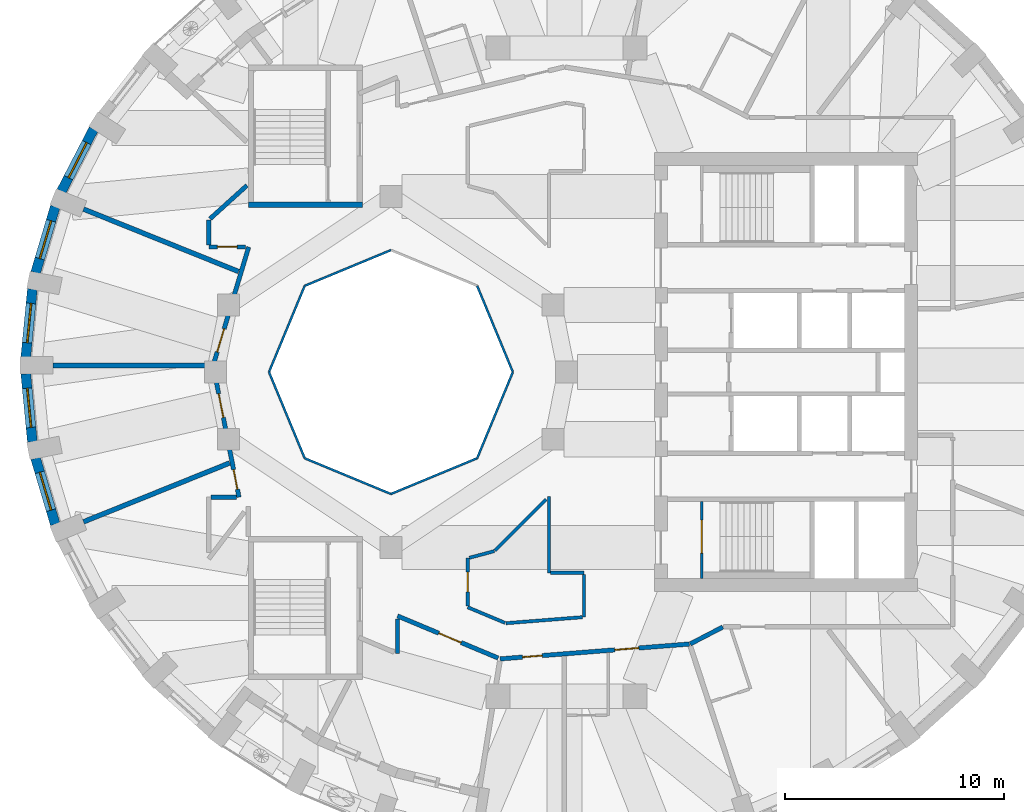
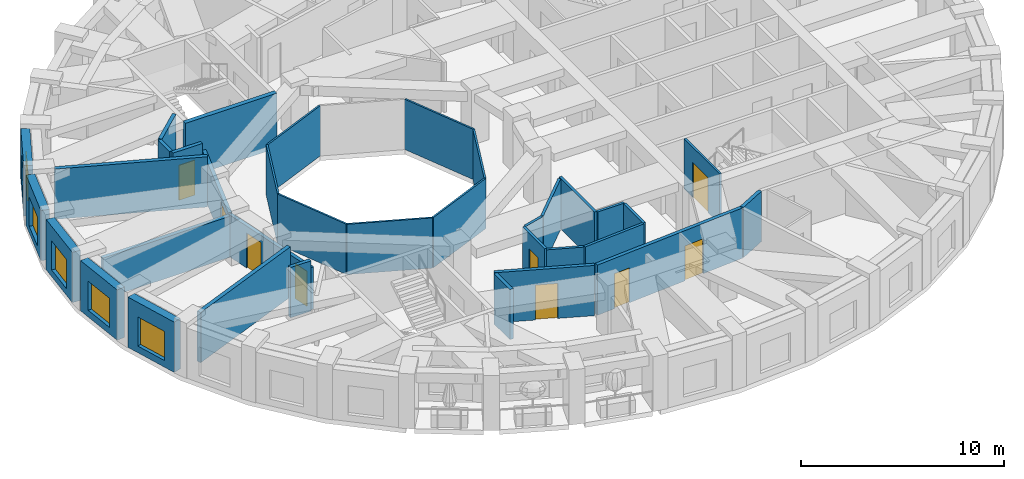
# One storey, part 4 of 12: 35 walls, 9 doors, 5 windows, 14 openings.
"""IFC4 building model written with IfcOpenShell, lengths in metres."""

from ifc_helpers import new_model, si_unit, direction, frame, frame_2d, origin, place, context, subcontext, project, spatial, rectangle, extrude, material, layer, layer_set, type_object, element, fill, save


model = new_model("IFC4")

# Units and contexts
model_context = context("Model", 3, precision=1e-05, world=origin(), true_north=direction((0.0, 1.0)))
body_context = subcontext(model_context, "Body", "Model", "MODEL_VIEW")
ifc_project = project(units=[si_unit("LENGTHUNIT", "METRE"), si_unit("AREAUNIT", "SQUARE_METRE"), si_unit("VOLUMEUNIT", "CUBIC_METRE"), si_unit("PLANEANGLEUNIT", "RADIAN"), si_unit("MASSUNIT", "GRAM", prefix="KILO")], contexts=[model_context])

# Site, building, storey
site_placement = place(None, origin())
site = spatial("IfcSite", under=ifc_project, at=site_placement, CompositionType="ELEMENT")
building_placement = place(site_placement, origin())
building = spatial("IfcBuilding", under=site, at=building_placement, Name="Taillehof Tower", CompositionType="ELEMENT")
storey_placement = place(building_placement, frame((0.0, 0.0, 253.10009765625)))
storey = spatial("IfcBuildingStorey", under=building, at=storey_placement, Name="L72", CompositionType="ELEMENT", Elevation=253.10009765625)

# Walls
ifc_material_1 = material(Name="Fire-resisting glass in steel frame", Category="steel")
ifc_layer_1 = layer(ifc_material_1, 0.10009765625)
ifc_layer_set_1 = layer_set([ifc_layer_1], Name="Atrium fire-resisting screen EI 60 100")
wall_type_1 = type_object("IfcWallType", Name="Atrium fire-resisting screen EI 60 100", PredefinedType="PARTITIONING", material=ifc_layer_set_1)
for number, where, z_axis, x_axis, name in (
    (1, (-2.44580078125, 0.0, 0.0), (0.0, 0.0, 1.0), (-0.382730523909, -0.923860025149, 0.0), "Atrium screen"),
    (2, (-4.07275390625, -3.92724609375, 0.0), (0.0, 0.0, 1.0), (-0.923860025149, -0.382730523909, 0.0), "Atrium screen"),
    (3, (-8.0, -5.55419921875, 0.0), (0.0, 0.0, 1.0), (-0.923860025149, 0.382730523909, 0.0), "Atrium screen"),
    (4, (-11.92724609375, -3.92724609375, 0.0), (0.0, 0.0, 1.0), (-0.382730523909, 0.923860025149, 0.0), "Atrium screen"),
    (5, (-13.55419921875, 0.0, 0.0), (0.0, 0.0, 1.0), (0.382730523909, 0.923860025149, 0.0), "Atrium screen"),
    (6, (-11.92724609375, 3.92724609375, 0.0), (0.0, 0.0, 1.0), (0.923860025149, 0.382730523909, 0.0), "Atrium screen"),
    (7, (-4.07275390625, 3.92724609375, 0.0), (0.0, 0.0, 1.0), (0.382730523909, -0.923860025149, 0.0), "Atrium screen"),
):
    element("IfcWall", number, at=place(storey_placement, frame(where, z_axis=z_axis, x_axis=x_axis)), inside=storey, type_object=wall_type_1, Name=name, PredefinedType="PARTITIONING", context=body_context, shape_type="SweptSolid", body=[
        extrude(rectangle(XDim=4.2509765625, YDim=0.10009765625, at=frame_2d((2.12548828125, 0.0))), origin(), (0.0, 0.0, 1.0), 3.02001953125),
    ])

# Wall, opening, window
ifc_material_2 = material(Name="Brick masonry", Category="masonry")
ifc_layer_2 = layer(ifc_material_2, 0.449951171875)
ifc_layer_set_2 = layer_set([ifc_layer_2], Name="Brick infill wall 450")
wall_type_2 = type_object("IfcWallType", Name="Brick infill wall 450", PredefinedType="SOLIDWALL", material=ifc_layer_set_2)
wall_1_placement = place(storey_placement, frame((-21.544921875, 11.068359375, 0.0), z_axis=(0.0, 0.0, 1.0), x_axis=(-0.459889857669, -0.887975967475, 0.0)))
wall_1 = element("IfcWall", 8, at=wall_1_placement, inside=storey, type_object=wall_type_2, Name="Brick wall L72 bay 16", PredefinedType="SOLIDWALL", context=body_context, shape_type="SweptSolid", body=[
    extrude(rectangle(XDim=3.185791015625, YDim=0.449951171875, at=frame_2d((1.5927734375, 0.0))), origin(), (0.0, 0.0, 1.0), 3.02001953125),
])
opening_1_placement = place(wall_1_placement, frame((0.69287109375, 0.0, 0.39990234375)))
opening_1 = element("IfcOpeningElement", 9, at=opening_1_placement, cuts=wall_1, Name="Opening W4", PredefinedType="OPENING", context=body_context, shape_type="SweptSolid", body=[
    extrude(rectangle(XDim=1.800048828125, YDim=1.75, at=frame_2d((0.89990234375, 0.875))), frame((0.0, 0.23486328125, 0.0), z_axis=(0.0, -1.0, 0.0), x_axis=(1.0, 0.0, 0.0)), (0.0, 0.0, 1.0), 0.469970703125),
])
ifc_material_3 = material(Name="Aluminium window frame with clear double glazing", Category="aluminium")
window_type = type_object("IfcWindowType", Name="Deep-set window 1800x1750", PartitioningType="SINGLE_PANEL", PredefinedType="WINDOW", material=ifc_material_3)
window_1_placement = place(opening_1_placement, origin())
window_1 = element("IfcWindow", 10, at=window_1_placement, inside=storey, type_object=window_type, Name="W4", OverallHeight=1.75, OverallWidth=1.800048828125, PartitioningType="SINGLE_PANEL", PredefinedType="WINDOW", context=body_context, shape_type="SweptSolid", body=[
    extrude(rectangle(XDim=1.800048828125, YDim=1.75, at=frame_2d((0.89990234375, 0.875))), frame((0.0, 0.034912109375, 0.0), z_axis=(0.0, -1.0, 0.0), x_axis=(1.0, 0.0, 0.0)), (0.0, 0.0, 1.0), 0.06005859375),
])
fill(opening_1, window_1)

wall_2_placement = place(storey_placement, frame((-23.29443359375, 7.53466796875, 0.0), z_axis=(0.0, 0.0, 1.0), x_axis=(-0.285263800865, -0.958449040855, 0.0)))
wall_2 = element("IfcWall", 11, at=wall_2_placement, inside=storey, type_object=wall_type_2, Name="Brick wall L72 bay 17", PredefinedType="SOLIDWALL", context=body_context, shape_type="SweptSolid", body=[
    extrude(rectangle(XDim=3.13916015625, YDim=0.449951171875, at=frame_2d((1.569580078125, 0.0))), origin(), (0.0, 0.0, 1.0), 3.02001953125),
])
opening_2_placement = place(wall_2_placement, frame((0.669677734375, 0.0, 0.39990234375)))
opening_2 = element("IfcOpeningElement", 12, at=opening_2_placement, cuts=wall_2, Name="Opening W4", PredefinedType="OPENING", context=body_context, shape_type="SweptSolid", body=[
    extrude(rectangle(XDim=1.800048828125, YDim=1.75, at=frame_2d((0.89990234375, 0.875))), frame((0.0, 0.23486328125, 0.0), z_axis=(0.0, -1.0, 0.0), x_axis=(1.0, 0.0, 0.0)), (0.0, 0.0, 1.0), 0.469970703125),
])
window_2_placement = place(opening_2_placement, origin())
window_2 = element("IfcWindow", 13, at=window_2_placement, inside=storey, type_object=window_type, Name="W4", OverallHeight=1.75, OverallWidth=1.800048828125, PartitioningType="SINGLE_PANEL", PredefinedType="WINDOW", context=body_context, shape_type="SweptSolid", body=[
    extrude(rectangle(XDim=1.800048828125, YDim=1.75, at=frame_2d((0.89990234375, 0.875))), frame((0.0, 0.034912109375, 0.0), z_axis=(0.0, -1.0, 0.0), x_axis=(1.0, 0.0, 0.0)), (0.0, 0.0, 1.0), 0.06005859375),
])
fill(opening_2, window_2)

wall_3_placement = place(storey_placement, frame((-24.335693359375, 3.77978515625, 0.0), z_axis=(0.0, 0.0, 1.0), x_axis=(-0.096740086873, -0.995309678237, 0.0)))
wall_3 = element("IfcWall", 14, at=wall_3_placement, inside=storey, type_object=wall_type_2, Name="Brick wall L72 bay 18", PredefinedType="SOLIDWALL", context=body_context, shape_type="SweptSolid", body=[
    extrude(rectangle(XDim=3.1142578125, YDim=0.449951171875, at=frame_2d((1.55712890625, 0.0))), origin(), (0.0, 0.0, 1.0), 3.02001953125),
])
opening_3_placement = place(wall_3_placement, frame((0.6572265625, 0.0, 0.39990234375)))
opening_3 = element("IfcOpeningElement", 15, at=opening_3_placement, cuts=wall_3, Name="Opening W4", PredefinedType="OPENING", context=body_context, shape_type="SweptSolid", body=[
    extrude(rectangle(XDim=1.800048828125, YDim=1.75, at=frame_2d((0.89990234375, 0.875))), frame((0.0, 0.23486328125, 0.0), z_axis=(0.0, -1.0, 0.0), x_axis=(1.0, 0.0, 0.0)), (0.0, 0.0, 1.0), 0.469970703125),
])
window_3_placement = place(opening_3_placement, origin())
window_3 = element("IfcWindow", 16, at=window_3_placement, inside=storey, type_object=window_type, Name="W4", OverallHeight=1.75, OverallWidth=1.800048828125, PartitioningType="SINGLE_PANEL", PredefinedType="WINDOW", context=body_context, shape_type="SweptSolid", body=[
    extrude(rectangle(XDim=1.800048828125, YDim=1.75, at=frame_2d((0.89990234375, 0.875))), frame((0.0, 0.034912109375, 0.0), z_axis=(0.0, -1.0, 0.0), x_axis=(1.0, 0.0, 0.0)), (0.0, 0.0, 1.0), 0.06005859375),
])
fill(opening_3, window_3)

wall_4_placement = place(storey_placement, frame((-24.636962890625, -0.080078125, 0.0), z_axis=(0.0, 0.0, 1.0), x_axis=(0.09673253904, -0.995310411827, 0.0)))
wall_4 = element("IfcWall", 17, at=wall_4_placement, inside=storey, type_object=wall_type_2, Name="Brick wall L72 bay 19", PredefinedType="SOLIDWALL", context=body_context, shape_type="SweptSolid", body=[
    extrude(rectangle(XDim=3.114501953125, YDim=0.449951171875, at=frame_2d((1.55712890625, 0.0))), origin(), (0.0, 0.0, 1.0), 3.02001953125),
])
opening_4_placement = place(wall_4_placement, frame((0.6572265625, 0.0, 0.39990234375)))
opening_4 = element("IfcOpeningElement", 18, at=opening_4_placement, cuts=wall_4, Name="Opening W4", PredefinedType="OPENING", context=body_context, shape_type="SweptSolid", body=[
    extrude(rectangle(XDim=1.800048828125, YDim=1.75, at=frame_2d((0.89990234375, 0.875))), frame((0.0, 0.23486328125, 0.0), z_axis=(0.0, -1.0, 0.0), x_axis=(1.0, 0.0, 0.0)), (0.0, 0.0, 1.0), 0.469970703125),
])
window_4_placement = place(opening_4_placement, origin())
window_4 = element("IfcWindow", 19, at=window_4_placement, inside=storey, type_object=window_type, Name="W4", OverallHeight=1.75, OverallWidth=1.800048828125, PartitioningType="SINGLE_PANEL", PredefinedType="WINDOW", context=body_context, shape_type="SweptSolid", body=[
    extrude(rectangle(XDim=1.800048828125, YDim=1.75, at=frame_2d((0.89990234375, 0.875))), frame((0.0, 0.034912109375, 0.0), z_axis=(0.0, -1.0, 0.0), x_axis=(1.0, 0.0, 0.0)), (0.0, 0.0, 1.0), 0.06005859375),
])
fill(opening_4, window_4)

wall_5_placement = place(storey_placement, frame((-24.18994140625, -3.92578125, 0.0), z_axis=(0.0, 0.0, 1.0), x_axis=(0.285263800865, -0.958449040855, 0.0)))
wall_5 = element("IfcWall", 20, at=wall_5_placement, inside=storey, type_object=wall_type_2, Name="Brick wall L72 bay 20", PredefinedType="SOLIDWALL", context=body_context, shape_type="SweptSolid", body=[
    extrude(rectangle(XDim=3.13916015625, YDim=0.449951171875, at=frame_2d((1.569580078125, 0.0))), origin(), (0.0, 0.0, 1.0), 3.02001953125),
])
opening_5_placement = place(wall_5_placement, frame((0.669677734375, 0.0, 0.39990234375)))
opening_5 = element("IfcOpeningElement", 21, at=opening_5_placement, cuts=wall_5, Name="Opening W4", PredefinedType="OPENING", context=body_context, shape_type="SweptSolid", body=[
    extrude(rectangle(XDim=1.800048828125, YDim=1.75, at=frame_2d((0.89990234375, 0.875))), frame((0.0, 0.23486328125, 0.0), z_axis=(0.0, -1.0, 0.0), x_axis=(1.0, 0.0, 0.0)), (0.0, 0.0, 1.0), 0.469970703125),
])
window_5_placement = place(opening_5_placement, origin())
window_5 = element("IfcWindow", 22, at=window_5_placement, inside=storey, type_object=window_type, Name="W4", OverallHeight=1.75, OverallWidth=1.800048828125, PartitioningType="SINGLE_PANEL", PredefinedType="WINDOW", context=body_context, shape_type="SweptSolid", body=[
    extrude(rectangle(XDim=1.800048828125, YDim=1.75, at=frame_2d((0.89990234375, 0.875))), frame((0.0, 0.034912109375, 0.0), z_axis=(0.0, -1.0, 0.0), x_axis=(1.0, 0.0, 0.0)), (0.0, 0.0, 1.0), 0.06005859375),
])
fill(opening_5, window_5)

# Wall, openings, doors
ifc_material_4 = material(Name="Gypsum board on steel studs, two layers each side", Category="steel")
ifc_layer_3 = layer(ifc_material_4, 0.199951171875)
ifc_layer_set_3 = layer_set([ifc_layer_3], Name="Compartment wall corridor 200")
wall_type_3 = type_object("IfcWallType", Name="Compartment wall corridor 200", PredefinedType="PARTITIONING", material=ifc_layer_set_3)
wall_6_placement = place(storey_placement, frame((-14.9228515625, -5.699951171875, 0.0), z_axis=(0.0, 0.0, 1.0), x_axis=(-0.192536596074, 0.981289793676, 0.0)))
wall_6 = element("IfcWall", 23, at=wall_6_placement, inside=storey, type_object=wall_type_3, Name="Compartment wall", PredefinedType="PARTITIONING", context=body_context, shape_type="SweptSolid", body=[
    extrude(rectangle(XDim=6.114501953125, YDim=0.199951171875, at=frame_2d((3.05712890625, 0.0))), origin(), (0.0, 0.0, 1.0), 2.52001953125),
])
opening_6_placement = place(wall_6_placement, frame((3.69873046875, 0.0, 0.0)))
opening_6 = element("IfcOpeningElement", 24, at=opening_6_placement, cuts=wall_6, Name="Opening D7248", PredefinedType="OPENING", context=body_context, shape_type="SweptSolid", body=[
    extrude(rectangle(XDim=1.10009765625, YDim=2.10009765625, at=frame_2d((0.550048828125, 1.050048828125))), frame((0.0, 0.10986328125, 0.0), z_axis=(0.0, -1.0, 0.0), x_axis=(1.0, 0.0, 0.0)), (0.0, 0.0, 1.0), 0.219970703125),
])
opening_7_placement = place(wall_6_placement, frame((0.37158203125, 0.0, 0.0)))
opening_7 = element("IfcOpeningElement", 25, at=opening_7_placement, cuts=wall_6, Name="Opening D7249", PredefinedType="OPENING", context=body_context, shape_type="SweptSolid", body=[
    extrude(rectangle(XDim=0.89990234375, YDim=2.10009765625, at=frame_2d((0.449951171875, 1.050048828125))), frame((0.0, 0.10986328125, 0.0), z_axis=(0.0, -1.0, 0.0), x_axis=(1.0, 0.0, 0.0)), (0.0, 0.0, 1.0), 0.219970703125),
])
ifc_material_5 = material(Name="Timber door leaf in steel frame", Category="steel")
door_type_1 = type_object("IfcDoorType", Name="Service room door EI 30 900 x 2100", OperationType="SINGLE_SWING_LEFT", PredefinedType="DOOR", material=ifc_material_5)
door_1_placement = place(opening_7_placement, origin())
door_1 = element("IfcDoor", 26, at=door_1_placement, inside=storey, type_object=door_type_1, Name="D7249", OperationType="SINGLE_SWING_RIGHT", OverallHeight=2.10009765625, OverallWidth=0.89990234375, PredefinedType="DOOR", context=body_context, shape_type="SweptSolid", body=[
    extrude(rectangle(XDim=0.89990234375, YDim=2.10009765625, at=frame_2d((0.449951171875, 1.050048828125))), frame((0.0, 0.02490234375, 0.0), z_axis=(0.0, -1.0, 0.0), x_axis=(1.0, 0.0, 0.0)), (0.0, 0.0, 1.0), 0.050048828125),
])
fill(opening_7, door_1)
ifc_material_6 = material(Name="Timber door leaf in steel frame", Category="steel")
door_type_2 = type_object("IfcDoorType", Name="Suite entrance door EI 30 1100 x 2100", OperationType="SINGLE_SWING_LEFT", PredefinedType="DOOR", material=ifc_material_6)
door_2_placement = place(opening_6_placement, origin())
door_2 = element("IfcDoor", 27, at=door_2_placement, inside=storey, type_object=door_type_2, Name="D7248", OperationType="SINGLE_SWING_RIGHT", OverallHeight=2.10009765625, OverallWidth=1.10009765625, PredefinedType="DOOR", context=body_context, shape_type="SweptSolid", body=[
    extrude(rectangle(XDim=1.10009765625, YDim=2.10009765625, at=frame_2d((0.550048828125, 1.050048828125))), frame((0.0, 0.02490234375, 0.0), z_axis=(0.0, -1.0, 0.0), x_axis=(1.0, 0.0, 0.0)), (0.0, 0.0, 1.0), 0.050048828125),
])
fill(opening_6, door_2)

# Wall, opening, door
wall_7_placement = place(storey_placement, frame((-16.07080078125, 0.395263671875, 0.0), z_axis=(0.0, 0.0, 1.0), x_axis=(0.287129472402, 0.957891782029, 0.0)))
wall_7 = element("IfcWall", 28, at=wall_7_placement, inside=storey, type_object=wall_type_3, Name="Compartment wall", PredefinedType="PARTITIONING", context=body_context, shape_type="SweptSolid", body=[
    extrude(rectangle(XDim=5.537841796875, YDim=0.199951171875, at=frame_2d((2.76904296875, 0.0))), origin(), (0.0, 0.0, 1.0), 2.52001953125),
])
opening_8_placement = place(wall_7_placement, frame((0.542724609375, 0.0, 0.0)))
opening_8 = element("IfcOpeningElement", 29, at=opening_8_placement, cuts=wall_7, Name="Opening D7247", PredefinedType="OPENING", context=body_context, shape_type="SweptSolid", body=[
    extrude(rectangle(XDim=1.10009765625, YDim=2.10009765625, at=frame_2d((0.550048828125, 1.050048828125))), frame((0.0, 0.10986328125, 0.0), z_axis=(0.0, -1.0, 0.0), x_axis=(1.0, 0.0, 0.0)), (0.0, 0.0, 1.0), 0.219970703125),
])
door_3_placement = place(opening_8_placement, origin())
door_3 = element("IfcDoor", 30, at=door_3_placement, inside=storey, type_object=door_type_2, Name="D7247", OperationType="SINGLE_SWING_LEFT", OverallHeight=2.10009765625, OverallWidth=1.10009765625, PredefinedType="DOOR", context=body_context, shape_type="SweptSolid", body=[
    extrude(rectangle(XDim=1.10009765625, YDim=2.10009765625, at=frame_2d((0.550048828125, 1.050048828125))), frame((0.0, 0.02490234375, 0.0), z_axis=(0.0, -1.0, 0.0), x_axis=(1.0, 0.0, 0.0)), (0.0, 0.0, 1.0), 0.050048828125),
])
fill(opening_8, door_3)

wall_8_placement = place(storey_placement, frame((-14.620849609375, 5.699951171875, 0.0), z_axis=(0.0, 0.0, 1.0), x_axis=(-1.0, 0.0, 0.0)))
wall_8 = element("IfcWall", 31, at=wall_8_placement, inside=storey, type_object=wall_type_3, Name="Compartment wall", PredefinedType="PARTITIONING", context=body_context, shape_type="SweptSolid", body=[
    extrude(rectangle(XDim=1.67919921875, YDim=0.199951171875, at=frame_2d((0.839599609375, 0.0))), origin(), (0.0, 0.0, 1.0), 3.02001953125),
])
opening_9_placement = place(wall_8_placement, frame((0.3896484375, 0.0, 0.0)))
opening_9 = element("IfcOpeningElement", 32, at=opening_9_placement, cuts=wall_8, Name="Opening D7246", PredefinedType="OPENING", context=body_context, shape_type="SweptSolid", body=[
    extrude(rectangle(XDim=0.89990234375, YDim=2.10009765625, at=frame_2d((0.449951171875, 1.050048828125))), frame((0.0, 0.10986328125, 0.0), z_axis=(0.0, -1.0, 0.0), x_axis=(1.0, 0.0, 0.0)), (0.0, 0.0, 1.0), 0.219970703125),
])
door_4_placement = place(opening_9_placement, origin())
door_4 = element("IfcDoor", 33, at=door_4_placement, inside=storey, type_object=door_type_1, Name="D7246", OperationType="SINGLE_SWING_LEFT", OverallHeight=2.10009765625, OverallWidth=0.89990234375, PredefinedType="DOOR", context=body_context, shape_type="SweptSolid", body=[
    extrude(rectangle(XDim=0.89990234375, YDim=2.10009765625, at=frame_2d((0.449951171875, 1.050048828125))), frame((0.0, 0.02490234375, 0.0), z_axis=(0.0, -1.0, 0.0), x_axis=(1.0, 0.0, 0.0)), (0.0, 0.0, 1.0), 0.050048828125),
])
fill(opening_9, door_4)

# Walls
wall_9_placement = place(storey_placement, frame((-16.300048828125, 5.800048828125, 0.0), z_axis=(0.0, 0.0, 1.0), x_axis=(0.0, 1.0, 0.0)))
element("IfcWall", 34, at=wall_9_placement, inside=storey, type_object=wall_type_3, Name="Compartment wall", PredefinedType="PARTITIONING", context=body_context, shape_type="SweptSolid", body=[
    extrude(rectangle(XDim=1.1298828125, YDim=0.199951171875, at=frame_2d((0.56494140625, 0.0))), origin(), (0.0, 0.0, 1.0), 3.02001953125),
])
wall_10_placement = place(storey_placement, frame((-16.240478515625, 6.983642578125, 0.0), z_axis=(0.0, 0.0, 1.0), x_axis=(0.742140692687, 0.67024412885, 0.0)))
element("IfcWall", 35, at=wall_10_placement, inside=storey, type_object=wall_type_3, Name="Compartment wall", PredefinedType="PARTITIONING", context=body_context, shape_type="SweptSolid", body=[
    extrude(rectangle(XDim=2.264892578125, YDim=0.199951171875, at=frame_2d((1.13232421875, 0.0))), origin(), (0.0, 0.0, 1.0), 3.02001953125),
])
wall_11_placement = place(storey_placement, frame((7.116455078125, -11.61865234375, 0.0), z_axis=(0.0, 0.0, 1.0), x_axis=(-0.88733399288, -0.461127298128, 0.0)))
element("IfcWall", 36, at=wall_11_placement, inside=storey, type_object=wall_type_3, Name="Compartment wall", PredefinedType="PARTITIONING", context=body_context, shape_type="SweptSolid", body=[
    extrude(rectangle(XDim=1.6708984375, YDim=0.199951171875, at=frame_2d((0.83544921875, 0.0))), origin(), (0.0, 0.0, 1.0), 3.02001953125),
])

# Wall, openings, doors
wall_12_placement = place(storey_placement, frame((5.59375, -12.39208984375, 0.0), z_axis=(0.0, 0.0, 1.0), x_axis=(-0.996925151721, -0.078359695423, 0.0)))
wall_12 = element("IfcWall", 37, at=wall_12_placement, inside=storey, type_object=wall_type_3, Name="Compartment wall", PredefinedType="PARTITIONING", context=body_context, shape_type="SweptSolid", body=[
    extrude(rectangle(XDim=8.642822265625, YDim=0.199951171875, at=frame_2d((4.3212890625, 0.0))), origin(), (0.0, 0.0, 1.0), 3.02001953125),
])
opening_10_placement = place(wall_12_placement, frame((6.72216796875, 0.0, 0.0)))
opening_10 = element("IfcOpeningElement", 38, at=opening_10_placement, cuts=wall_12, Name="Opening D7251", PredefinedType="OPENING", context=body_context, shape_type="SweptSolid", body=[
    extrude(rectangle(XDim=0.89990234375, YDim=2.10009765625, at=frame_2d((0.449951171875, 1.050048828125))), frame((0.0, 0.10986328125, 0.0), z_axis=(0.0, -1.0, 0.0), x_axis=(1.0, 0.0, 0.0)), (0.0, 0.0, 1.0), 0.219970703125),
])
opening_11_placement = place(wall_12_placement, frame((2.30859375, 0.0, 0.0)))
opening_11 = element("IfcOpeningElement", 39, at=opening_11_placement, cuts=wall_12, Name="Opening D7252", PredefinedType="OPENING", context=body_context, shape_type="SweptSolid", body=[
    extrude(rectangle(XDim=1.10009765625, YDim=2.10009765625, at=frame_2d((0.550048828125, 1.050048828125))), frame((0.0, 0.10986328125, 0.0), z_axis=(0.0, -1.0, 0.0), x_axis=(1.0, 0.0, 0.0)), (0.0, 0.0, 1.0), 0.219970703125),
])
door_5_placement = place(opening_10_placement, origin())
door_5 = element("IfcDoor", 40, at=door_5_placement, inside=storey, type_object=door_type_1, Name="D7251", OperationType="SINGLE_SWING_RIGHT", OverallHeight=2.10009765625, OverallWidth=0.89990234375, PredefinedType="DOOR", context=body_context, shape_type="SweptSolid", body=[
    extrude(rectangle(XDim=0.89990234375, YDim=2.10009765625, at=frame_2d((0.449951171875, 1.050048828125))), frame((0.0, 0.02490234375, 0.0), z_axis=(0.0, -1.0, 0.0), x_axis=(1.0, 0.0, 0.0)), (0.0, 0.0, 1.0), 0.050048828125),
])
fill(opening_10, door_5)
door_6_placement = place(opening_11_placement, origin())
door_6 = element("IfcDoor", 41, at=door_6_placement, inside=storey, type_object=door_type_2, Name="D7252", OperationType="SINGLE_SWING_RIGHT", OverallHeight=2.10009765625, OverallWidth=1.10009765625, PredefinedType="DOOR", context=body_context, shape_type="SweptSolid", body=[
    extrude(rectangle(XDim=1.10009765625, YDim=2.10009765625, at=frame_2d((0.550048828125, 1.050048828125))), frame((0.0, 0.02490234375, 0.0), z_axis=(0.0, -1.0, 0.0), x_axis=(1.0, 0.0, 0.0)), (0.0, 0.0, 1.0), 0.050048828125),
])
fill(opening_11, door_6)

# Wall, opening, door
wall_13_placement = place(storey_placement, frame((-3.115234375, -13.0302734375, 0.0), z_axis=(0.0, 0.0, 1.0), x_axis=(-0.922510557065, 0.385971854031, 0.0)))
wall_13 = element("IfcWall", 42, at=wall_13_placement, inside=storey, type_object=wall_type_3, Name="Compartment wall", PredefinedType="PARTITIONING", context=body_context, shape_type="SweptSolid", body=[
    extrude(rectangle(XDim=4.9697265625, YDim=0.199951171875, at=frame_2d((2.48486328125, 0.0))), origin(), (0.0, 0.0, 1.0), 3.02001953125),
])
opening_12_placement = place(wall_13_placement, frame((1.829345703125, 0.0, 0.0)))
opening_12 = element("IfcOpeningElement", 43, at=opening_12_placement, cuts=wall_13, Name="Opening D7250", PredefinedType="OPENING", context=body_context, shape_type="SweptSolid", body=[
    extrude(rectangle(XDim=1.10009765625, YDim=2.10009765625, at=frame_2d((0.550048828125, 1.050048828125))), frame((0.0, 0.10986328125, 0.0), z_axis=(0.0, -1.0, 0.0), x_axis=(1.0, 0.0, 0.0)), (0.0, 0.0, 1.0), 0.219970703125),
])
door_7_placement = place(opening_12_placement, origin())
door_7 = element("IfcDoor", 44, at=door_7_placement, inside=storey, type_object=door_type_2, Name="D7250", OperationType="SINGLE_SWING_LEFT", OverallHeight=2.10009765625, OverallWidth=1.10009765625, PredefinedType="DOOR", context=body_context, shape_type="SweptSolid", body=[
    extrude(rectangle(XDim=1.10009765625, YDim=2.10009765625, at=frame_2d((0.550048828125, 1.050048828125))), frame((0.0, 0.02490234375, 0.0), z_axis=(0.0, -1.0, 0.0), x_axis=(1.0, 0.0, 0.0)), (0.0, 0.0, 1.0), 0.050048828125),
])
fill(opening_12, door_7)

# Walls
wall_14_placement = place(storey_placement, frame((-7.699951171875, -11.252197265625, 0.0), z_axis=(0.0, 0.0, 1.0), x_axis=(0.0, -1.0, 0.0)))
element("IfcWall", 45, at=wall_14_placement, inside=storey, type_object=wall_type_3, Name="Compartment wall", PredefinedType="PARTITIONING", context=body_context, shape_type="SweptSolid", body=[
    extrude(rectangle(XDim=1.576171875, YDim=0.199951171875, at=frame_2d((0.7880859375, 0.0))), origin(), (0.0, 0.0, 1.0), 3.02001953125),
])
wall_15_placement = place(storey_placement, frame((-16.199951171875, -5.699951171875, 0.0), z_axis=(0.0, 0.0, 1.0), x_axis=(1.0, 0.0, 0.0)))
element("IfcWall", 46, at=wall_15_placement, inside=storey, type_object=wall_type_3, Name="Compartment wall", PredefinedType="PARTITIONING", context=body_context, shape_type="SweptSolid", body=[
    extrude(rectangle(XDim=1.156982421875, YDim=0.199951171875, at=frame_2d((0.57861328125, 0.0))), origin(), (0.0, 0.0, 1.0), 3.02001953125),
])
ifc_material_7 = material(Name="Gypsum board on double steel studs with mineral wool", Category="steel")
ifc_layer_4 = layer(ifc_material_7, 0.219970703125)
ifc_layer_set_4 = layer_set([ifc_layer_4], Name="Compartment wall guest room 220")
wall_type_4 = type_object("IfcWallType", Name="Compartment wall guest room 220", PredefinedType="PARTITIONING", material=ifc_layer_set_4)
wall_16_placement = place(storey_placement, frame((-22.00390625, 7.42431640625, 0.0), z_axis=(0.0, 0.0, 1.0), x_axis=(0.927533826991, -0.373739213607, 0.0)))
element("IfcWall", 47, at=wall_16_placement, inside=storey, type_object=wall_type_4, Name="Compartment wall", PredefinedType="PARTITIONING", context=body_context, shape_type="SweptSolid", body=[
    extrude(rectangle(XDim=7.613525390625, YDim=0.219970703125, at=frame_2d((3.806640625, 0.0))), origin(), (0.0, 0.0, 1.0), 3.02001953125),
])
wall_17_placement = place(storey_placement, frame((-23.39990234375, 0.300048828125, 0.0), z_axis=(0.0, 0.0, 1.0), x_axis=(1.0, 0.0, 0.0)))
element("IfcWall", 48, at=wall_17_placement, inside=storey, type_object=wall_type_4, Name="Compartment wall", PredefinedType="PARTITIONING", context=body_context, shape_type="SweptSolid", body=[
    extrude(rectangle(XDim=7.19970703125, YDim=0.219970703125, at=frame_2d((3.599853515625, 0.0))), origin(), (0.0, 0.0, 1.0), 2.469970703125),
])
wall_18_placement = place(storey_placement, frame((-22.00390625, -6.824462890625, 0.0), z_axis=(0.0, 0.0, 1.0), x_axis=(0.927530164265, 0.373748303513, 0.0)))
element("IfcWall", 49, at=wall_18_placement, inside=storey, type_object=wall_type_4, Name="Compartment wall", PredefinedType="PARTITIONING", context=body_context, shape_type="SweptSolid", body=[
    extrude(rectangle(XDim=7.173583984375, YDim=0.219970703125, at=frame_2d((3.5869140625, 0.0))), origin(), (0.0, 0.0, 1.0), 3.02001953125),
])
ifc_material_8 = material(Name="Gypsum board on steel studs, two layers each side", Category="steel")
ifc_layer_5 = layer(ifc_material_8, 0.14990234375)
ifc_layer_set_5 = layer_set([ifc_layer_5], Name="Compartment wall service room 150")
wall_type_5 = type_object("IfcWallType", Name="Compartment wall service room 150", PredefinedType="PARTITIONING", material=ifc_layer_set_5)
wall_19_placement = place(storey_placement, frame((-0.800048828125, -5.66943359375, 0.0), z_axis=(0.0, 0.0, 1.0), x_axis=(0.0, -1.0, 0.0)))
element("IfcWall", 50, at=wall_19_placement, inside=storey, type_object=wall_type_5, Name="Compartment wall", PredefinedType="PARTITIONING", context=body_context, shape_type="SweptSolid", body=[
    extrude(rectangle(XDim=3.48046875, YDim=0.14990234375, at=frame_2d((1.740234375, 0.0))), origin(), (0.0, 0.0, 1.0), 3.02001953125),
])
wall_20_placement = place(storey_placement, frame((-0.719970703125, -9.14990234375, 0.0), z_axis=(0.0, 0.0, 1.0), x_axis=(1.0, 0.0, 0.0)))
element("IfcWall", 51, at=wall_20_placement, inside=storey, type_object=wall_type_5, Name="Compartment wall", PredefinedType="PARTITIONING", context=body_context, shape_type="SweptSolid", body=[
    extrude(rectangle(XDim=1.52001953125, YDim=0.14990234375, at=frame_2d((0.760009765625, 0.0))), origin(), (0.0, 0.0, 1.0), 3.02001953125),
])
wall_21_placement = place(storey_placement, frame((0.800048828125, -9.22998046875, 0.0), z_axis=(0.0, 0.0, 1.0), x_axis=(0.0, -1.0, 0.0)))
element("IfcWall", 52, at=wall_21_placement, inside=storey, type_object=wall_type_5, Name="Compartment wall", PredefinedType="PARTITIONING", context=body_context, shape_type="SweptSolid", body=[
    extrude(rectangle(XDim=1.93408203125, YDim=0.14990234375, at=frame_2d((0.967041015625, 0.0))), origin(), (0.0, 0.0, 1.0), 3.02001953125),
])
wall_22_placement = place(storey_placement, frame((0.719970703125, -11.169921875, 0.0), z_axis=(0.0, 0.0, 1.0), x_axis=(-0.996919759383, -0.078428268828, 0.0)))
element("IfcWall", 53, at=wall_22_placement, inside=storey, type_object=wall_type_5, Name="Compartment wall", PredefinedType="PARTITIONING", context=body_context, shape_type="SweptSolid", body=[
    extrude(rectangle(XDim=3.49267578125, YDim=0.14990234375, at=frame_2d((1.746337890625, 0.0))), origin(), (0.0, 0.0, 1.0), 3.02001953125),
])
wall_23_placement = place(storey_placement, frame((-2.799072265625, -11.42822265625, 0.0), z_axis=(0.0, 0.0, 1.0), x_axis=(-0.922507880735, 0.385978250659, 0.0)))
element("IfcWall", 54, at=wall_23_placement, inside=storey, type_object=wall_type_5, Name="Compartment wall", PredefinedType="PARTITIONING", context=body_context, shape_type="SweptSolid", body=[
    extrude(rectangle(XDim=1.84375, YDim=0.14990234375, at=frame_2d((0.921875, 0.0))), origin(), (0.0, 0.0, 1.0), 3.02001953125),
])

# Wall, opening, door
wall_24_placement = place(storey_placement, frame((-4.5, -10.656494140625, 0.0), z_axis=(0.0, 0.0, 1.0), x_axis=(0.0, 1.0, 0.0)))
wall_24 = element("IfcWall", 55, at=wall_24_placement, inside=storey, type_object=wall_type_5, Name="Compartment wall", PredefinedType="PARTITIONING", context=body_context, shape_type="SweptSolid", body=[
    extrude(rectangle(XDim=2.17333984375, YDim=0.14990234375, at=frame_2d((1.086669921875, 0.0))), origin(), (0.0, 0.0, 1.0), 3.02001953125),
])
opening_13_placement = place(wall_24_placement, frame((0.63671875, 0.0, 0.0)))
opening_13 = element("IfcOpeningElement", 56, at=opening_13_placement, cuts=wall_24, Name="Opening D7260", PredefinedType="OPENING", context=body_context, shape_type="SweptSolid", body=[
    extrude(rectangle(XDim=0.89990234375, YDim=2.10009765625, at=frame_2d((0.449951171875, 1.050048828125))), frame((0.0, 0.0849609375, 0.0), z_axis=(0.0, -1.0, 0.0), x_axis=(1.0, 0.0, 0.0)), (0.0, 0.0, 1.0), 0.169921875),
])
door_8_placement = place(opening_13_placement, origin())
door_8 = element("IfcDoor", 57, at=door_8_placement, inside=storey, type_object=door_type_1, Name="D7260", OperationType="SINGLE_SWING_RIGHT", OverallHeight=2.10009765625, OverallWidth=0.89990234375, PredefinedType="DOOR", context=body_context, shape_type="SweptSolid", body=[
    extrude(rectangle(XDim=0.89990234375, YDim=2.10009765625, at=frame_2d((0.449951171875, 1.050048828125))), frame((0.0, 0.02490234375, 0.0), z_axis=(0.0, -1.0, 0.0), x_axis=(1.0, 0.0, 0.0)), (0.0, 0.0, 1.0), 0.050048828125),
])
fill(opening_13, door_8)

# Walls
wall_25_placement = place(storey_placement, frame((-4.4228515625, -8.462646484375, 0.0), z_axis=(0.0, 0.0, 1.0), x_axis=(0.965916469839, 0.258853961327, 0.0)))
element("IfcWall", 58, at=wall_25_placement, inside=storey, type_object=wall_type_5, Name="Compartment wall", PredefinedType="PARTITIONING", context=body_context, shape_type="SweptSolid", body=[
    extrude(rectangle(XDim=1.17333984375, YDim=0.14990234375, at=frame_2d((0.586669921875, 0.0))), origin(), (0.0, 0.0, 1.0), 3.02001953125),
])
wall_26_placement = place(storey_placement, frame((-3.26123046875, -8.130615234375, 0.0), z_axis=(0.0, 0.0, 1.0), x_axis=(0.707106781187, 0.707106781187, 0.0)))
element("IfcWall", 59, at=wall_26_placement, inside=storey, type_object=wall_type_5, Name="Compartment wall", PredefinedType="PARTITIONING", context=body_context, shape_type="SweptSolid", body=[
    extrude(rectangle(XDim=3.30029296875, YDim=0.14990234375, at=frame_2d((1.650146484375, 0.0))), origin(), (0.0, 0.0, 1.0), 3.02001953125),
])

# Wall, opening, door
ifc_material_9 = material(Name="Concrete C50/60", Category="concrete")
ifc_layer_6 = layer(ifc_material_9, 0.1201171875)
ifc_layer_set_6 = layer_set([ifc_layer_6], Name="Stair lobby wall C50/60 120")
wall_type_6 = type_object("IfcWallType", Name="Stair lobby wall C50/60 120", PredefinedType="SHEAR", material=ifc_layer_set_6)
wall_27_placement = place(storey_placement, frame((6.159912109375, -9.39990234375, 0.0), z_axis=(0.0, 0.0, 1.0), x_axis=(0.0, 1.0, 0.0)))
wall_27 = element("IfcWall", 60, at=wall_27_placement, inside=storey, type_object=wall_type_6, Name="Compartment wall SW", PredefinedType="SHEAR", context=body_context, shape_type="SweptSolid", body=[
    extrude(rectangle(XDim=3.5, YDim=0.1201171875, at=frame_2d((1.75, 0.0))), origin(), (0.0, 0.0, 1.0), 3.02001953125),
])
opening_14_placement = place(wall_27_placement, frame((1.14990234375, 0.0, 0.0)))
opening_14 = element("IfcOpeningElement", 61, at=opening_14_placement, cuts=wall_27, Name="Opening D7211", PredefinedType="OPENING", context=body_context, shape_type="SweptSolid", body=[
    extrude(rectangle(XDim=1.5, YDim=2.10009765625, at=frame_2d((0.75, 1.050048828125))), frame((0.0, 0.070068359375, 0.0), z_axis=(0.0, -1.0, 0.0), x_axis=(1.0, 0.0, 0.0)), (0.0, 0.0, 1.0), 0.14013671875),
])
ifc_material_10 = material(Name="Steel-faced fire door", Category="steel")
door_type_3 = type_object("IfcDoorType", Name="Stair door 1500x2100", OperationType="DOUBLE_DOOR_SINGLE_SWING", PredefinedType="DOOR", material=ifc_material_10)
door_9_placement = place(opening_14_placement, origin())
door_9 = element("IfcDoor", 62, at=door_9_placement, inside=storey, type_object=door_type_3, Name="Stair lobby door S2", OperationType="DOUBLE_DOOR_SINGLE_SWING", OverallHeight=2.10009765625, OverallWidth=1.5, PredefinedType="DOOR", context=body_context, shape_type="SweptSolid", body=[
    extrude(rectangle(XDim=1.5, YDim=2.10009765625, at=frame_2d((0.75, 1.050048828125))), frame((0.0, 0.02490234375, 0.0), z_axis=(0.0, -1.0, 0.0), x_axis=(1.0, 0.0, 0.0)), (0.0, 0.0, 1.0), 0.050048828125),
])
fill(opening_14, door_9)

# Wall
ifc_material_11 = material(Name="Concrete C50/60", Category="concrete")
ifc_layer_7 = layer(ifc_material_11, 0.25)
ifc_layer_set_7 = layer_set([ifc_layer_7], Name="Stair wall C50/60 250")
wall_type_7 = type_object("IfcWallType", Name="Stair wall C50/60 250", PredefinedType="SHEAR", material=ifc_layer_set_7)
wall_28_placement = place(storey_placement, frame((-14.5, 7.625, -0.280029296875), z_axis=(0.0, 0.0, 1.0), x_axis=(1.0, 0.0, 0.0)))
element("IfcWall", 63, at=wall_28_placement, inside=storey, type_object=wall_type_7, Name="Stair wall SC", PredefinedType="SHEAR", context=body_context, shape_type="SweptSolid", body=[
    extrude(rectangle(XDim=5.199951171875, YDim=0.25, at=frame_2d((2.60009765625, 0.0))), origin(), (0.0, 0.0, 1.0), 3.300048828125),
])

save(model, "model.ifc")
